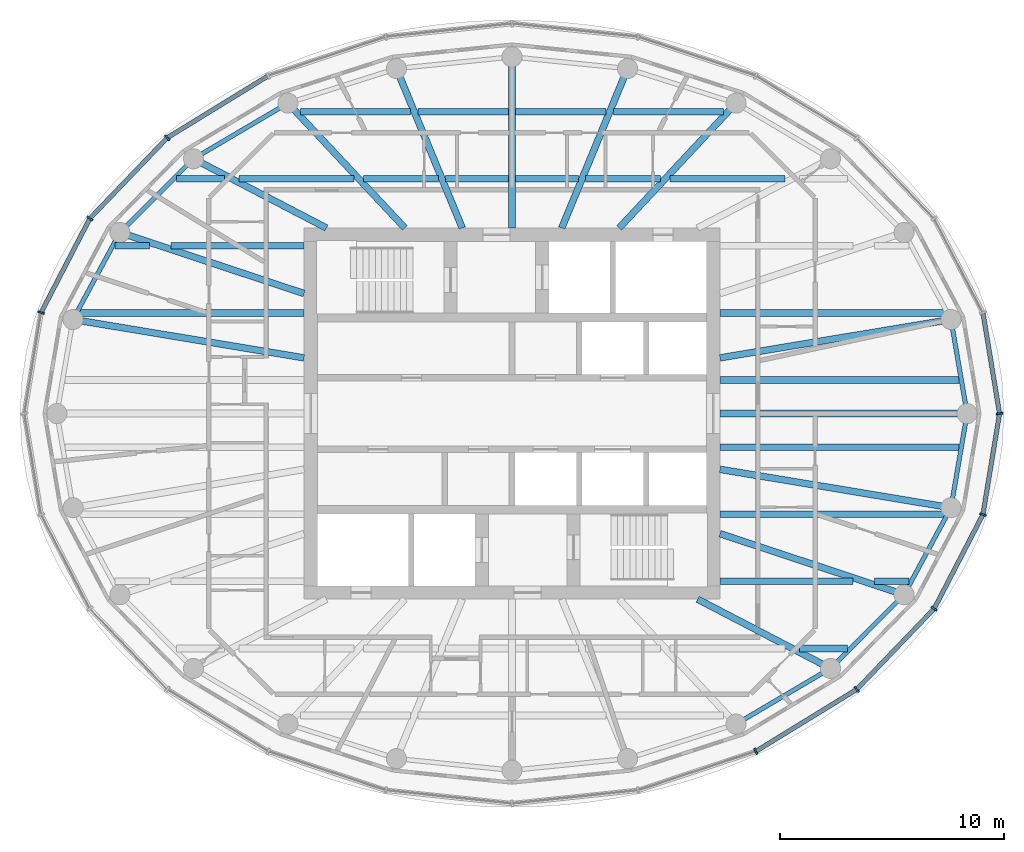
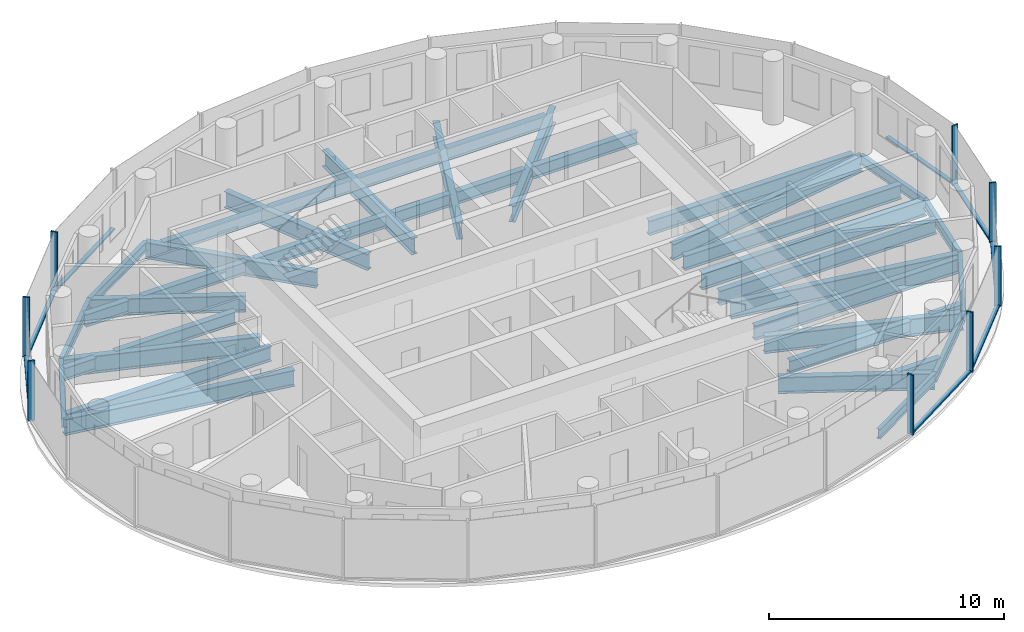
# One storey, part 2 of 11: 42 beams, 16 members, 3 elements without a shape of their own.
"""IFC4 building model written with IfcOpenShell, lengths in metres."""

import ifcopenshell
import ifcopenshell.guid

model = None  # the IFC model being written
_history = None  # IfcOwnerHistory: only IFC2X3 demands one
_inside = {}  # id of a spatial element -> (the spatial element, [elements in it])
_under = {}  # id of a project, library or spatial element -> (it, [spatial elements below it])
_declared = {}  # id of a project -> (the project, [libraries it declares])
_typed = {}  # id of a type object -> (the type object, [elements of that type])
_made_of = {}  # id of a material, layer set ... -> (it, [elements and type objects made of it])


def new_model(schema):
    """Start an empty IFC model of exactly this schema.

    Asked for "IFC4X3", IfcOpenShell would pick the latest addendum, in which some entities
    have other attributes; the version numbers below select the first issue.
    IFC2X3 requires an IfcOwnerHistory on every rooted entity: one is made here for all.
    """
    global model, _history
    if schema == "IFC4X3":
        model = ifcopenshell.file(schema_version=(4, 3, 0, 0))
    else:
        model = ifcopenshell.file(schema=schema)
    _inside.clear()
    _under.clear()
    _declared.clear()
    _typed.clear()
    _made_of.clear()
    _history = None
    if model.schema == "IFC2X3":
        org = make("IfcOrganization", Name="unknown")
        user = make(
            "IfcPersonAndOrganization",
            ThePerson=make("IfcPerson", FamilyName="unknown"),
            TheOrganization=org,
        )
        app = make(
            "IfcApplication",
            ApplicationDeveloper=org,
            Version="unknown",
            ApplicationFullName="unknown",
            ApplicationIdentifier="unknown",
        )
        _history = make(
            "IfcOwnerHistory",
            OwningUser=user,
            OwningApplication=app,
            ChangeAction="ADDED",
            CreationDate=0,
        )
    return model


def make(cls, **values):
    """One entity of the class cls with the attributes given. An attribute that is None is left unset."""
    return model.create_entity(
        cls, **{name: value for name, value in values.items() if value is not None}
    )


def rooted(cls, **values):
    """An entity with a GlobalId (a new one), such as an element, a storey or a relation."""
    return make(cls, GlobalId=ifcopenshell.guid.new(), OwnerHistory=_history, **values)


def si_unit(unit_type, name, prefix=None):
    """IfcSIUnit, for example si_unit("LENGTHUNIT", "METRE", prefix="MILLI")."""
    return make("IfcSIUnit", UnitType=unit_type, Prefix=prefix, Name=name)


def assignment(units):
    """IfcUnitAssignment: the units of a project."""
    return None if units is None else make("IfcUnitAssignment", Units=units)


def point(xyz):
    """IfcCartesianPoint."""
    return None if xyz is None else make("IfcCartesianPoint", Coordinates=xyz)


def direction(xyz):
    """IfcDirection."""
    return None if xyz is None else make("IfcDirection", DirectionRatios=xyz)


def frame(location, z_axis=None, x_axis=None):
    """IfcAxis2Placement3D, a coordinate frame: its origin and axes. An axis left out is left unset."""
    return make(
        "IfcAxis2Placement3D",
        Location=point(location),
        Axis=direction(z_axis),
        RefDirection=direction(x_axis),
    )


def frame_2d(location, x_axis=None):
    """IfcAxis2Placement2D, a coordinate frame in the plane: its origin and x axis."""
    return make(
        "IfcAxis2Placement2D", Location=point(location), RefDirection=direction(x_axis)
    )


def origin():
    """The frame at (0, 0, 0) with its axes left unset."""
    return frame((0.0, 0.0, 0.0))


def origin_2d():
    """The frame at (0, 0) in the plane with its x axis left unset."""
    return frame_2d((0.0, 0.0))


def place(relative_to, where):
    """IfcLocalPlacement: puts the frame where relative to a parent placement (None: the world)."""
    return make(
        "IfcLocalPlacement", PlacementRelTo=relative_to, RelativePlacement=where
    )


def context(
    kind, dimensions, precision=None, world=None, true_north=None, identifier=None
):
    """IfcGeometricRepresentationContext, for example the 3D "Model" context."""
    return make(
        "IfcGeometricRepresentationContext",
        ContextIdentifier=identifier,
        ContextType=kind,
        CoordinateSpaceDimension=dimensions,
        Precision=precision,
        WorldCoordinateSystem=world,
        TrueNorth=true_north,
    )


def subcontext(parent, identifier, kind, view, scale=None):
    """IfcGeometricRepresentationSubContext, for example "Body" below "Model"."""
    return make(
        "IfcGeometricRepresentationSubContext",
        ContextIdentifier=identifier,
        ContextType=kind,
        ParentContext=parent,
        TargetScale=scale,
        TargetView=view,
    )


def project(units=None, contexts=None):
    """IfcProject with its units and contexts."""
    return rooted(
        "IfcProject",
        Name="project",
        RepresentationContexts=contexts,
        UnitsInContext=assignment(units),
    )


def spatial(cls, under=None, at=None, **own):
    """A site, building, storey or space (cls), placed at a placement, below another one or the project."""
    s = rooted(cls, ObjectPlacement=at, **own)
    if under is not None:
        _under.setdefault(under.id(), (under, []))[1].append(s)
    return s


def profile(cls, at=None, kind="AREA", **sizes):
    """A parametric profile (cls). Its sizes go by their IFC names, for example OverallWidth=200.0."""
    return make(cls, ProfileType=kind, Position=at, **sizes)


def rectangle(**sizes):
    """IfcRectangleProfileDef."""
    return profile("IfcRectangleProfileDef", **sizes)


def i_section(**sizes):
    """IfcIShapeProfileDef."""
    return profile("IfcIShapeProfileDef", **sizes)


def extrude(swept, where, along, depth):
    """IfcExtrudedAreaSolid: the profile swept, set in the frame where, extruded along a direction by depth."""
    return make(
        "IfcExtrudedAreaSolid",
        SweptArea=swept,
        Position=where,
        ExtrudedDirection=direction(along),
        Depth=depth,
    )


def shape(context_of_items, identifier, shape_type, items):
    """IfcShapeRepresentation: the items that make up one representation, for example the "Body"."""
    return make(
        "IfcShapeRepresentation",
        ContextOfItems=context_of_items,
        RepresentationIdentifier=identifier,
        RepresentationType=shape_type,
        Items=items,
    )


def material(Name=None, Category=None):
    """IfcMaterial."""
    return make("IfcMaterial", Name=Name, Category=Category)


def material_profile(
    of_material, cross_section, Name=None, Category=None, Priority=None
):
    """IfcMaterialProfile: a cross section and its material."""
    return make(
        "IfcMaterialProfile",
        Name=Name,
        Material=of_material,
        Profile=cross_section,
        Priority=Priority,
        Category=Category,
    )


def profile_set(profiles, Name=None, composite=None):
    """IfcMaterialProfileSet."""
    return make(
        "IfcMaterialProfileSet",
        Name=Name,
        MaterialProfiles=profiles,
        CompositeProfile=composite,
    )


def made_of(thing, what):
    """Note that an element or type object is made of a material, layer set ...; save() writes the relation."""
    if what is not None:
        _made_of.setdefault(what.id(), (what, []))[1].append(thing)
    return thing


def type_object(cls, material=None, **own):
    """A type object (cls), such as IfcWallType, which elements share."""
    return made_of(rooted(cls, **own), material)


def element(
    cls,
    number,
    at=None,
    inside=None,
    cuts=None,
    type_object=None,
    material=None,
    context=None,
    identifier="Body",
    shape_type=None,
    held_by="IfcProductDefinitionShape",
    body=None,
    shapes=None,
    **own,
):
    """One element of the class cls, such as IfcWall. Its Tag is "e" and its number.

    at: its placement. inside: the storey or other place that contains it. cuts: it is an
    opening in that element (IfcRelVoidsElement). A single representation is given by context,
    identifier, shape_type and body (its items); several are given by shapes. held_by: the class
    of the entity that holds the representations. save() writes the other relations.
    """
    e = rooted(cls, Tag="e%d" % number, ObjectPlacement=at, **own)
    if body is not None:
        shapes = [shape(context, identifier, shape_type, body)]
    if shapes is not None:
        e.Representation = make(held_by, Representations=shapes)
    if inside is not None:
        _inside.setdefault(inside.id(), (inside, []))[1].append(e)
    if cuts is not None:
        rooted(
            "IfcRelVoidsElement", RelatingBuildingElement=cuts, RelatedOpeningElement=e
        )
    if type_object is not None:
        _typed.setdefault(type_object.id(), (type_object, []))[1].append(e)
    return made_of(e, material)


def aggregate(whole, parts):
    """IfcRelAggregates: a whole, such as a stair, and the parts it consists of."""
    return rooted("IfcRelAggregates", RelatingObject=whole, RelatedObjects=parts)


def save(model, path):
    """Write the relations noted so far, then the file.

    IfcRelAggregates (storeys below a building ...), IfcRelContainedInSpatialStructure (elements
    in a storey), IfcRelDefinesByType, IfcRelAssociatesMaterial and IfcRelDeclares: one each for
    every whole, place, type object, material and project.
    """
    for whole, parts in _under.values():
        aggregate(whole, parts)
    for where, things in _inside.values():
        rooted(
            "IfcRelContainedInSpatialStructure",
            RelatedElements=things,
            RelatingStructure=where,
        )
    for kind, things in _typed.values():
        rooted("IfcRelDefinesByType", RelatedObjects=things, RelatingType=kind)
    for what, things in _made_of.values():
        rooted("IfcRelAssociatesMaterial", RelatedObjects=things, RelatingMaterial=what)
    for by, libraries in _declared.values():
        rooted("IfcRelDeclares", RelatingContext=by, RelatedDefinitions=libraries)
    model.write(path)


model = new_model("IFC4")

# Units and contexts
model_context = context("Model", 3, precision=1e-05, world=origin(), true_north=direction((0.0, 1.0)))
body_context = subcontext(model_context, "Body", "Model", "MODEL_VIEW")
ifc_project = project(units=[si_unit("LENGTHUNIT", "METRE"), si_unit("AREAUNIT", "SQUARE_METRE"), si_unit("VOLUMEUNIT", "CUBIC_METRE"), si_unit("PLANEANGLEUNIT", "RADIAN"), si_unit("MASSUNIT", "GRAM", prefix="KILO")], contexts=[model_context])

# Site, building, storey
site_placement = place(None, origin())
site = spatial("IfcSite", under=ifc_project, at=site_placement, CompositionType="ELEMENT")
building_placement = place(site_placement, origin())
building = spatial("IfcBuilding", under=site, at=building_placement, Name="Hankou Lantern Tower", CompositionType="ELEMENT")
storey_placement = place(building_placement, frame((0.0, 0.0, 196.199951171875)))
storey = spatial("IfcBuildingStorey", under=building, at=storey_placement, Name="L52", CompositionType="ELEMENT", Elevation=196.199951171875)

# Beams
ifc_material_1 = material(Name="Steel Q355B", Category="steel")
ifc_material_profile_1 = material_profile(ifc_material_1, i_section(OverallWidth=0.199951171875, OverallDepth=0.5, WebThickness=0.010009765625, FlangeThickness=0.01611328125, FilletRadius=0.012939453125, at=origin_2d()), Name="HN500x200x10x16")
ifc_profile_set_1 = profile_set([ifc_material_profile_1], Name="Steel Q355B")
beam_type_1 = type_object("IfcBeamType", Name="EB5 RING BEAM HN500x200x10x16", PredefinedType="SPANDREL", material=ifc_profile_set_1)
beam_1_placement = place(storey_placement, frame((20.35009765625, 0.0, -0.429931640625), z_axis=(-0.168876512999, 0.98563721691, 0.0), x_axis=(-0.98563721691, -0.168876512999, 0.0)))
element("IfcBeam", 1, at=beam_1_placement, inside=storey, type_object=beam_type_1, Name="Ring beam R01-R02 L52", PredefinedType="SPANDREL", context=body_context, shape_type="SweptSolid", body=[
    extrude(i_section(OverallWidth=0.199951171875, OverallDepth=0.5, WebThickness=0.010009765625, FlangeThickness=0.01611328125, FilletRadius=0.012939453125, at=origin_2d()), origin(), (0.0, 0.0, 1.0), 4.26904296875),
])
beam_2_placement = place(storey_placement, frame((-10.01904296875, 13.8828125, -0.429931640625), z_axis=(-0.861422897323, -0.507888365655, 0.0), x_axis=(0.507888365655, -0.861422897323, 0.0)))
element("IfcBeam", 2, at=beam_2_placement, inside=storey, type_object=beam_type_1, Name="Ring beam R09-R10 L52", PredefinedType="SPANDREL", context=body_context, shape_type="SweptSolid", body=[
    extrude(i_section(OverallWidth=0.199951171875, OverallDepth=0.5, WebThickness=0.010009765625, FlangeThickness=0.01611328125, FilletRadius=0.012939453125, at=origin_2d()), origin(), (0.0, 0.0, 1.0), 4.901611328125),
])
beam_3_placement = place(storey_placement, frame((-14.241455078125, 11.393310546875, -0.429931640625), z_axis=(-0.706608588034, -0.707604623583, 0.0), x_axis=(0.707604623583, -0.706608588034, 0.0)))
element("IfcBeam", 3, at=beam_3_placement, inside=storey, type_object=beam_type_1, Name="Ring beam R10-R11 L52", PredefinedType="SPANDREL", context=body_context, shape_type="SweptSolid", body=[
    extrude(i_section(OverallWidth=0.199951171875, OverallDepth=0.5, WebThickness=0.010009765625, FlangeThickness=0.01611328125, FilletRadius=0.012939453125, at=origin_2d()), origin(), (0.0, 0.0, 1.0), 4.6572265625),
])
beam_4_placement = place(storey_placement, frame((-17.5322265625, 8.097900390625, -0.429931640625), z_axis=(-0.474491806611, -0.880259919262, 0.0), x_axis=(0.880259919262, -0.474491806611, 0.0)))
element("IfcBeam", 4, at=beam_4_placement, inside=storey, type_object=beam_type_1, Name="Ring beam R11-R12 L52", PredefinedType="SPANDREL", context=body_context, shape_type="SweptSolid", body=[
    extrude(i_section(OverallWidth=0.199951171875, OverallDepth=0.5, WebThickness=0.010009765625, FlangeThickness=0.01611328125, FilletRadius=0.012939453125, at=origin_2d()), origin(), (0.0, 0.0, 1.0), 4.419189453125),
])
beam_5_placement = place(storey_placement, frame((10.01904296875, -13.8828125, -0.429931640625), z_axis=(0.861422897323, 0.507888365655, 0.0), x_axis=(-0.507888365655, 0.861422897323, 0.0)))
element("IfcBeam", 5, at=beam_5_placement, inside=storey, type_object=beam_type_1, Name="Ring beam R21-R22 L52", PredefinedType="SPANDREL", context=body_context, shape_type="SweptSolid", body=[
    extrude(i_section(OverallWidth=0.199951171875, OverallDepth=0.5, WebThickness=0.010009765625, FlangeThickness=0.01611328125, FilletRadius=0.012939453125, at=origin_2d()), origin(), (0.0, 0.0, 1.0), 4.901611328125),
])
beam_6_placement = place(storey_placement, frame((14.241455078125, -11.393310546875, -0.429931640625), z_axis=(0.706608588034, 0.707604623583, 0.0), x_axis=(-0.707604623583, 0.706608588034, 0.0)))
element("IfcBeam", 6, at=beam_6_placement, inside=storey, type_object=beam_type_1, Name="Ring beam R22-R23 L52", PredefinedType="SPANDREL", context=body_context, shape_type="SweptSolid", body=[
    extrude(i_section(OverallWidth=0.199951171875, OverallDepth=0.5, WebThickness=0.010009765625, FlangeThickness=0.01611328125, FilletRadius=0.012939453125, at=origin_2d()), origin(), (0.0, 0.0, 1.0), 4.6572265625),
])
beam_7_placement = place(storey_placement, frame((17.5322265625, -8.097900390625, -0.429931640625), z_axis=(0.474491806611, 0.880259919262, 0.0), x_axis=(-0.880259919262, 0.474491806611, 0.0)))
element("IfcBeam", 7, at=beam_7_placement, inside=storey, type_object=beam_type_1, Name="Ring beam R23-R24 L52", PredefinedType="SPANDREL", context=body_context, shape_type="SweptSolid", body=[
    extrude(i_section(OverallWidth=0.199951171875, OverallDepth=0.5, WebThickness=0.010009765625, FlangeThickness=0.01611328125, FilletRadius=0.012939453125, at=origin_2d()), origin(), (0.0, 0.0, 1.0), 4.419189453125),
])
beam_8_placement = place(storey_placement, frame((19.629150390625, -4.207763671875, -0.429931640625), z_axis=(0.168876512999, 0.98563721691, 0.0), x_axis=(-0.98563721691, 0.168876512999, 0.0)))
element("IfcBeam", 8, at=beam_8_placement, inside=storey, type_object=beam_type_1, Name="Ring beam R24-R01 L52", PredefinedType="SPANDREL", context=body_context, shape_type="SweptSolid", body=[
    extrude(i_section(OverallWidth=0.199951171875, OverallDepth=0.5, WebThickness=0.010009765625, FlangeThickness=0.01611328125, FilletRadius=0.012939453125, at=origin_2d()), origin(), (0.0, 0.0, 1.0), 4.26904296875),
])

# Curtain wall, member
ifc_material_2 = material(Name="Glass, dark grey tinted laminated", Category="glass")
curtain_wall_type = type_object("IfcCurtainWallType", Name="CWD OUTER SKIN SUITE", PredefinedType="USERDEFINED", material=ifc_material_2)
curtain_wall_1_placement = place(storey_placement, origin())
curtain_wall_1 = element("IfcCurtainWall", 9, at=curtain_wall_1_placement, inside=storey, type_object=curtain_wall_type, Name="CWD L52 OS1", ObjectType="OUTER SKIN SUITE", PredefinedType="USERDEFINED")
ifc_material_3 = material(Name="Aluminium, black anodised", Category="aluminium")
ifc_material_profile_2 = material_profile(ifc_material_3, rectangle(XDim=0.080078125, YDim=0.300048828125, at=origin_2d()), Name="MU1 80X300")
ifc_profile_set_2 = profile_set([ifc_material_profile_2], Name="Aluminium, black anodised")
member_type_1 = type_object("IfcMemberType", Name="MU1 OUTER SKIN MULLION 80X300", PredefinedType="MULLION", material=ifc_profile_set_2)
member_1_placement = place(storey_placement, frame((21.800048828125, 0.0, 0.0), z_axis=(0.0, 0.0, 1.0), x_axis=(-0.162381515188, 0.986728049427, 0.0)))
member_1 = element("IfcMember", 10, at=member_1_placement, type_object=member_type_1, Name="CWD mullion 1", PredefinedType="MULLION", context=body_context, shape_type="SweptSolid", body=[
    extrude(rectangle(XDim=0.080078125, YDim=0.300048828125, at=origin_2d()), origin(), (0.0, 0.0, 1.0), 3.1201171875),
])

# Curtain wall, members
curtain_wall_2_placement = place(storey_placement, origin())
curtain_wall_2 = element("IfcCurtainWall", 11, at=curtain_wall_2_placement, inside=storey, type_object=curtain_wall_type, Name="CWD L52 OS2", ObjectType="OUTER SKIN SUITE", PredefinedType="USERDEFINED")
member_2_placement = place(storey_placement, frame((-15.4150390625, 12.33203125, 0.0), z_axis=(0.0, 0.0, 1.0), x_axis=(-0.780868809444, -0.624695047553, 0.0)))
member_2 = element("IfcMember", 12, at=member_2_placement, type_object=member_type_1, Name="CWD mullion 4", PredefinedType="MULLION", context=body_context, shape_type="SweptSolid", body=[
    extrude(rectangle(XDim=0.080078125, YDim=0.300048828125, at=origin_2d()), origin(), (0.0, 0.0, 1.0), 3.1201171875),
])
member_3_placement = place(storey_placement, frame((-18.87939453125, 8.719970703125, 0.0), z_axis=(0.0, 0.0, 1.0), x_axis=(-0.585205735974, -0.810884854084, 0.0)))
member_3 = element("IfcMember", 13, at=member_3_placement, type_object=member_type_1, Name="CWD mullion 5", PredefinedType="MULLION", context=body_context, shape_type="SweptSolid", body=[
    extrude(rectangle(XDim=0.080078125, YDim=0.300048828125, at=origin_2d()), origin(), (0.0, 0.0, 1.0), 3.1201171875),
])
member_4_placement = place(storey_placement, frame((-21.05712890625, 4.513916015625, 0.0), z_axis=(0.0, 0.0, 1.0), x_axis=(-0.317595577365, -0.94822626479, 0.0)))
member_4 = element("IfcMember", 14, at=member_4_placement, type_object=member_type_1, Name="CWD mullion 6", PredefinedType="MULLION", context=body_context, shape_type="SweptSolid", body=[
    extrude(rectangle(XDim=0.080078125, YDim=0.300048828125, at=origin_2d()), origin(), (0.0, 0.0, 1.0), 3.1201171875),
])

curtain_wall_3_placement = place(storey_placement, origin())
curtain_wall_3 = element("IfcCurtainWall", 15, at=curtain_wall_3_placement, inside=storey, type_object=curtain_wall_type, Name="CWD L52 OS4", ObjectType="OUTER SKIN SUITE", PredefinedType="USERDEFINED")
member_5_placement = place(storey_placement, frame((10.89990234375, -15.103515625, 0.0), z_axis=(0.0, 0.0, 1.0), x_axis=(0.907841299004, 0.419313934686, 0.0)))
member_5 = element("IfcMember", 16, at=member_5_placement, type_object=member_type_1, Name="CWD mullion 3", PredefinedType="MULLION", context=body_context, shape_type="SweptSolid", body=[
    extrude(rectangle(XDim=0.080078125, YDim=0.300048828125, at=origin_2d()), origin(), (0.0, 0.0, 1.0), 3.1201171875),
])
member_6_placement = place(storey_placement, frame((15.4150390625, -12.33203125, 0.0), z_axis=(0.0, 0.0, 1.0), x_axis=(0.780868809444, 0.624695047553, 0.0)))
member_6 = element("IfcMember", 17, at=member_6_placement, type_object=member_type_1, Name="CWD mullion 4", PredefinedType="MULLION", context=body_context, shape_type="SweptSolid", body=[
    extrude(rectangle(XDim=0.080078125, YDim=0.300048828125, at=origin_2d()), origin(), (0.0, 0.0, 1.0), 3.1201171875),
])
member_7_placement = place(storey_placement, frame((18.87939453125, -8.719970703125, 0.0), z_axis=(0.0, 0.0, 1.0), x_axis=(0.585205735974, 0.810884854084, 0.0)))
member_7 = element("IfcMember", 18, at=member_7_placement, type_object=member_type_1, Name="CWD mullion 5", PredefinedType="MULLION", context=body_context, shape_type="SweptSolid", body=[
    extrude(rectangle(XDim=0.080078125, YDim=0.300048828125, at=origin_2d()), origin(), (0.0, 0.0, 1.0), 3.1201171875),
])
member_8_placement = place(storey_placement, frame((21.05712890625, -4.513916015625, 0.0), z_axis=(0.0, 0.0, 1.0), x_axis=(0.317595577365, 0.94822626479, 0.0)))
member_8 = element("IfcMember", 19, at=member_8_placement, type_object=member_type_1, Name="CWD mullion 6", PredefinedType="MULLION", context=body_context, shape_type="SweptSolid", body=[
    extrude(rectangle(XDim=0.080078125, YDim=0.300048828125, at=origin_2d()), origin(), (0.0, 0.0, 1.0), 3.1201171875),
])

# Beams
ifc_material_4 = material(Name="Steel Q355B", Category="steel")
ifc_material_profile_3 = material_profile(ifc_material_4, i_section(OverallWidth=0.300048828125, OverallDepth=0.85009765625, WebThickness=0.01611328125, FlangeThickness=0.027099609375, FilletRadius=0.01806640625, at=origin_2d()), Name="HN850x300x16x27")
ifc_profile_set_3 = profile_set([ifc_material_profile_3], Name="Steel Q355B")
beam_type_2 = type_object("IfcBeamType", Name="RB12 RADIAL BEAM HN850x300x16x27", PredefinedType="BEAM", material=ifc_profile_set_3)
beam_9_placement = place(storey_placement, frame((9.300048828125, 0.0, -0.60498046875), z_axis=(1.0, 0.0, 0.0), x_axis=(0.0, 1.0, 0.0)))
element("IfcBeam", 20, at=beam_9_placement, inside=storey, type_object=beam_type_2, Name="Radial beam R01 L52", PredefinedType="BEAM", context=body_context, shape_type="SweptSolid", body=[
    extrude(i_section(OverallWidth=0.300048828125, OverallDepth=0.85009765625, WebThickness=0.01611328125, FlangeThickness=0.027099609375, FilletRadius=0.01806640625, at=origin_2d()), origin(), (0.0, 0.0, 1.0), 11.050048828125),
])
beam_10_placement = place(storey_placement, frame((9.300048828125, 2.491943359375, -0.60498046875), z_axis=(0.986482007061, 0.163869612027, 0.0), x_axis=(-0.163869612027, 0.986482007061, 0.0)))
element("IfcBeam", 21, at=beam_10_placement, inside=storey, type_object=beam_type_2, Name="Radial beam R02 L52", PredefinedType="BEAM", context=body_context, shape_type="SweptSolid", body=[
    extrude(i_section(OverallWidth=0.300048828125, OverallDepth=0.85009765625, WebThickness=0.01611328125, FlangeThickness=0.027099609375, FilletRadius=0.01806640625, at=origin_2d()), origin(), (0.0, 0.0, 1.0), 10.470703125),
])
beam_11_placement = place(storey_placement, frame((4.7919921875, 8.300048828125, -0.60498046875), z_axis=(0.68346844743, 0.729980055459, 0.0), x_axis=(-0.729980055459, 0.68346844743, 0.0)))
element("IfcBeam", 22, at=beam_11_placement, inside=storey, type_object=beam_type_2, Name="Radial beam R05 L52", PredefinedType="BEAM", context=body_context, shape_type="SweptSolid", body=[
    extrude(i_section(OverallWidth=0.300048828125, OverallDepth=0.85009765625, WebThickness=0.01611328125, FlangeThickness=0.027099609375, FilletRadius=0.01806640625, at=origin_2d()), origin(), (0.0, 0.0, 1.0), 7.64794921875),
])
beam_12_placement = place(storey_placement, frame((2.223876953125, 8.300048828125, -0.60498046875), z_axis=(0.381706648123, 0.924283525104, 0.0), x_axis=(-0.924283525104, 0.381706648123, 0.0)))
element("IfcBeam", 23, at=beam_12_placement, inside=storey, type_object=beam_type_2, Name="Radial beam R06 L52", PredefinedType="BEAM", context=body_context, shape_type="SweptSolid", body=[
    extrude(i_section(OverallWidth=0.300048828125, OverallDepth=0.85009765625, WebThickness=0.01611328125, FlangeThickness=0.027099609375, FilletRadius=0.01806640625, at=origin_2d()), origin(), (0.0, 0.0, 1.0), 7.7109375),
])
beam_13_placement = place(storey_placement, frame((0.0, 8.300048828125, -0.60498046875), z_axis=(0.0, 1.0, 0.0), x_axis=(-1.0, 0.0, 0.0)))
element("IfcBeam", 24, at=beam_13_placement, inside=storey, type_object=beam_type_2, Name="Radial beam R07 L52", PredefinedType="BEAM", context=body_context, shape_type="SweptSolid", body=[
    extrude(i_section(OverallWidth=0.300048828125, OverallDepth=0.85009765625, WebThickness=0.01611328125, FlangeThickness=0.027099609375, FilletRadius=0.01806640625, at=origin_2d()), origin(), (0.0, 0.0, 1.0), 7.64990234375),
])
beam_14_placement = place(storey_placement, frame((-2.223876953125, 8.300048828125, -0.60498046875), z_axis=(-0.381706648123, 0.924283525104, 0.0), x_axis=(-0.924283525104, -0.381706648123, 0.0)))
element("IfcBeam", 25, at=beam_14_placement, inside=storey, type_object=beam_type_2, Name="Radial beam R08 L52", PredefinedType="BEAM", context=body_context, shape_type="SweptSolid", body=[
    extrude(i_section(OverallWidth=0.300048828125, OverallDepth=0.85009765625, WebThickness=0.01611328125, FlangeThickness=0.027099609375, FilletRadius=0.01806640625, at=origin_2d()), origin(), (0.0, 0.0, 1.0), 7.7109375),
])
beam_15_placement = place(storey_placement, frame((-4.7919921875, 8.300048828125, -0.60498046875), z_axis=(-0.68346844743, 0.729980055459, 0.0), x_axis=(-0.729980055459, -0.68346844743, 0.0)))
element("IfcBeam", 26, at=beam_15_placement, inside=storey, type_object=beam_type_2, Name="Radial beam R09 L52", PredefinedType="BEAM", context=body_context, shape_type="SweptSolid", body=[
    extrude(i_section(OverallWidth=0.300048828125, OverallDepth=0.85009765625, WebThickness=0.01611328125, FlangeThickness=0.027099609375, FilletRadius=0.01806640625, at=origin_2d()), origin(), (0.0, 0.0, 1.0), 7.64794921875),
])
beam_16_placement = place(storey_placement, frame((-8.300048828125, 8.300048828125, -0.60498046875), z_axis=(-0.886988734783, 0.461791061378, 0.0), x_axis=(-0.461791061378, -0.886988734783, 0.0)))
element("IfcBeam", 27, at=beam_16_placement, inside=storey, type_object=beam_type_2, Name="Radial beam R10 L52", PredefinedType="BEAM", context=body_context, shape_type="SweptSolid", body=[
    extrude(i_section(OverallWidth=0.300048828125, OverallDepth=0.85009765625, WebThickness=0.01611328125, FlangeThickness=0.027099609375, FilletRadius=0.01806640625, at=origin_2d()), origin(), (0.0, 0.0, 1.0), 6.698486328125),
])
beam_17_placement = place(storey_placement, frame((-9.300048828125, 2.491943359375, -0.60498046875), z_axis=(-0.986482007061, 0.163869612027, 0.0), x_axis=(-0.163869612027, -0.986482007061, 0.0)))
element("IfcBeam", 28, at=beam_17_placement, inside=storey, type_object=beam_type_2, Name="Radial beam R12 L52", PredefinedType="BEAM", context=body_context, shape_type="SweptSolid", body=[
    extrude(i_section(OverallWidth=0.300048828125, OverallDepth=0.85009765625, WebThickness=0.01611328125, FlangeThickness=0.027099609375, FilletRadius=0.01806640625, at=origin_2d()), origin(), (0.0, 0.0, 1.0), 10.470703125),
])
beam_18_placement = place(storey_placement, frame((8.300048828125, -8.300048828125, -0.60498046875), z_axis=(0.886988734783, -0.461791061378, 0.0), x_axis=(0.461791061378, 0.886988734783, 0.0)))
element("IfcBeam", 29, at=beam_18_placement, inside=storey, type_object=beam_type_2, Name="Radial beam R22 L52", PredefinedType="BEAM", context=body_context, shape_type="SweptSolid", body=[
    extrude(i_section(OverallWidth=0.300048828125, OverallDepth=0.85009765625, WebThickness=0.01611328125, FlangeThickness=0.027099609375, FilletRadius=0.01806640625, at=origin_2d()), origin(), (0.0, 0.0, 1.0), 6.698486328125),
])
beam_19_placement = place(storey_placement, frame((9.300048828125, -2.491943359375, -0.60498046875), z_axis=(0.986482007061, -0.163869612027, 0.0), x_axis=(0.163869612027, 0.986482007061, 0.0)))
element("IfcBeam", 30, at=beam_19_placement, inside=storey, type_object=beam_type_2, Name="Radial beam R24 L52", PredefinedType="BEAM", context=body_context, shape_type="SweptSolid", body=[
    extrude(i_section(OverallWidth=0.300048828125, OverallDepth=0.85009765625, WebThickness=0.01611328125, FlangeThickness=0.027099609375, FilletRadius=0.01806640625, at=origin_2d()), origin(), (0.0, 0.0, 1.0), 10.470703125),
])
ifc_material_5 = material(Name="Steel Q355B", Category="steel")
ifc_material_profile_4 = material_profile(ifc_material_5, i_section(OverallWidth=0.300048828125, OverallDepth=0.89990234375, WebThickness=0.01611328125, FlangeThickness=0.028076171875, FilletRadius=0.01806640625, at=origin_2d()), Name="HN900x300x16x28")
ifc_profile_set_4 = profile_set([ifc_material_profile_4], Name="Steel Q355B")
beam_type_3 = type_object("IfcBeamType", Name="RB13 RADIAL BEAM HN900x300x16x28", PredefinedType="BEAM", material=ifc_profile_set_4)
for number, where, z_axis, x_axis, name in (
    (31, (-9.300048828125, 5.369384765625, -0.6298828125), (-0.949219608576, 0.314614263337, 0.0), (-0.314614263337, -0.949219608576, 0.0), "Radial beam R11 L52"),
    (32, (9.300048828125, -5.369384765625, -0.6298828125), (0.949219608576, -0.314614263337, 0.0), (0.314614263337, 0.949219608576, 0.0), "Radial beam R23 L52"),
):
    element("IfcBeam", number, at=place(storey_placement, frame(where, z_axis=z_axis, x_axis=x_axis)), inside=storey, type_object=beam_type_3, Name=name, PredefinedType="BEAM", context=body_context, shape_type="SweptSolid", body=[
        extrude(i_section(OverallWidth=0.300048828125, OverallDepth=0.89990234375, WebThickness=0.01611328125, FlangeThickness=0.028076171875, FilletRadius=0.01806640625, at=origin_2d()), origin(), (0.0, 0.0, 1.0), 8.672607421875),
    ])
ifc_material_6 = material(Name="Steel Q355B", Category="steel")
ifc_material_profile_5 = material_profile(ifc_material_6, i_section(OverallWidth=0.300048828125, OverallDepth=0.75, WebThickness=0.012939453125, FlangeThickness=0.02392578125, FilletRadius=0.01806640625, at=origin_2d()), Name="HN750x300x13x24")
ifc_profile_set_5 = profile_set([ifc_material_profile_5], Name="Steel Q355B")
beam_type_4 = type_object("IfcBeamType", Name="SB10 SECONDARY BEAM HN750x300x13x24", PredefinedType="JOIST", material=ifc_profile_set_5)
beam_20_placement = place(storey_placement, frame((9.300048828125, -4.5, -0.554931640625), z_axis=(1.0, 0.0, 0.0), x_axis=(0.0, 1.0, 0.0)))
element("IfcBeam", 33, at=beam_20_placement, inside=storey, type_object=beam_type_4, Name="Floor joist J018 L52", PredefinedType="JOIST", context=body_context, shape_type="SweptSolid", body=[
    extrude(i_section(OverallWidth=0.300048828125, OverallDepth=0.75, WebThickness=0.012939453125, FlangeThickness=0.02392578125, FilletRadius=0.01806640625, at=origin_2d()), origin(), (0.0, 0.0, 1.0), 10.057861328125),
])
for number, where, z_axis, x_axis, name in (
    (34, (9.300048828125, -1.5, -0.554931640625), (1.0, 0.0, 0.0), (0.0, 1.0, 0.0), "Floor joist J020 L52"),
    (35, (9.300048828125, 1.5, -0.554931640625), (1.0, 0.0, 0.0), (0.0, 1.0, 0.0), "Floor joist J022 L52"),
):
    element("IfcBeam", number, at=place(storey_placement, frame(where, z_axis=z_axis, x_axis=x_axis)), inside=storey, type_object=beam_type_4, Name=name, PredefinedType="JOIST", context=body_context, shape_type="SweptSolid", body=[
        extrude(i_section(OverallWidth=0.300048828125, OverallDepth=0.75, WebThickness=0.012939453125, FlangeThickness=0.02392578125, FilletRadius=0.01806640625, at=origin_2d()), origin(), (0.0, 0.0, 1.0), 10.69140625),
    ])
for number, where, z_axis, x_axis, name in (
    (36, (-19.35791015625, 4.5, -0.554931640625), (1.0, 0.0, 0.0), (0.0, 1.0, 0.0), "Floor joist J023 L52"),
    (37, (9.300048828125, 4.5, -0.554931640625), (1.0, 0.0, 0.0), (0.0, 1.0, 0.0), "Floor joist J024 L52"),
):
    element("IfcBeam", number, at=place(storey_placement, frame(where, z_axis=z_axis, x_axis=x_axis)), inside=storey, type_object=beam_type_4, Name=name, PredefinedType="JOIST", context=body_context, shape_type="SweptSolid", body=[
        extrude(i_section(OverallWidth=0.300048828125, OverallDepth=0.75, WebThickness=0.012939453125, FlangeThickness=0.02392578125, FilletRadius=0.01806640625, at=origin_2d()), origin(), (0.0, 0.0, 1.0), 10.057861328125),
    ])
ifc_material_7 = material(Name="Steel Q355B", Category="steel")
ifc_material_profile_6 = material_profile(ifc_material_7, i_section(OverallWidth=0.300048828125, OverallDepth=0.64990234375, WebThickness=0.010986328125, FlangeThickness=0.01708984375, FilletRadius=0.01806640625, at=origin_2d()), Name="HN650x300x11x17")
ifc_profile_set_6 = profile_set([ifc_material_profile_6], Name="Steel Q355B")
beam_type_5 = type_object("IfcBeamType", Name="SB8 SECONDARY BEAM HN650x300x11x17", PredefinedType="JOIST", material=ifc_profile_set_6)
beam_21_placement = place(storey_placement, frame((12.8505859375, -10.5, -0.5048828125), z_axis=(1.0, 0.0, 0.0), x_axis=(0.0, 1.0, 0.0)))
element("IfcBeam", 38, at=beam_21_placement, inside=storey, type_object=beam_type_5, Name="Floor joist J012 L52", PredefinedType="JOIST", context=body_context, shape_type="SweptSolid", body=[
    extrude(i_section(OverallWidth=0.300048828125, OverallDepth=0.64990234375, WebThickness=0.010986328125, FlangeThickness=0.01708984375, FilletRadius=0.01806640625, at=origin_2d()), origin(), (0.0, 0.0, 1.0), 2.1416015625),
])
beam_22_placement = place(storey_placement, frame((9.300048828125, -7.5, -0.5048828125), z_axis=(1.0, 0.0, 0.0), x_axis=(0.0, 1.0, 0.0)))
element("IfcBeam", 39, at=beam_22_placement, inside=storey, type_object=beam_type_5, Name="Floor joist J015 L52", PredefinedType="JOIST", context=body_context, shape_type="SweptSolid", body=[
    extrude(i_section(OverallWidth=0.300048828125, OverallDepth=0.64990234375, WebThickness=0.010986328125, FlangeThickness=0.01708984375, FilletRadius=0.01806640625, at=origin_2d()), origin(), (0.0, 0.0, 1.0), 5.95166015625),
])
for number, where, z_axis, x_axis, name in (
    (40, (16.205322265625, -7.5, -0.5048828125), (1.0, 0.0, 0.0), (0.0, 1.0, 0.0), "Floor joist J016 L52"),
    (41, (-17.740966796875, 7.5, -0.5048828125), (1.0, 0.0, 0.0), (0.0, 1.0, 0.0), "Floor joist J025 L52"),
):
    element("IfcBeam", number, at=place(storey_placement, frame(where, z_axis=z_axis, x_axis=x_axis)), inside=storey, type_object=beam_type_5, Name=name, PredefinedType="JOIST", context=body_context, shape_type="SweptSolid", body=[
        extrude(i_section(OverallWidth=0.300048828125, OverallDepth=0.64990234375, WebThickness=0.010986328125, FlangeThickness=0.01708984375, FilletRadius=0.01806640625, at=origin_2d()), origin(), (0.0, 0.0, 1.0), 1.53564453125),
    ])
beam_23_placement = place(storey_placement, frame((-15.251708984375, 7.5, -0.5048828125), z_axis=(1.0, 0.0, 0.0), x_axis=(0.0, 1.0, 0.0)))
element("IfcBeam", 42, at=beam_23_placement, inside=storey, type_object=beam_type_5, Name="Floor joist J026 L52", PredefinedType="JOIST", context=body_context, shape_type="SweptSolid", body=[
    extrude(i_section(OverallWidth=0.300048828125, OverallDepth=0.64990234375, WebThickness=0.010986328125, FlangeThickness=0.01708984375, FilletRadius=0.01806640625, at=origin_2d()), origin(), (0.0, 0.0, 1.0), 5.95166015625),
])
beam_24_placement = place(storey_placement, frame((-14.9921875, 10.5, -0.5048828125), z_axis=(1.0, 0.0, 0.0), x_axis=(0.0, 1.0, 0.0)))
element("IfcBeam", 43, at=beam_24_placement, inside=storey, type_object=beam_type_5, Name="Floor joist J029 L52", PredefinedType="JOIST", context=body_context, shape_type="SweptSolid", body=[
    extrude(i_section(OverallWidth=0.300048828125, OverallDepth=0.64990234375, WebThickness=0.010986328125, FlangeThickness=0.01708984375, FilletRadius=0.01806640625, at=origin_2d()), origin(), (0.0, 0.0, 1.0), 2.1416015625),
])
beam_25_placement = place(storey_placement, frame((-12.200927734375, 10.5, -0.5048828125), z_axis=(1.0, 0.0, 0.0), x_axis=(0.0, 1.0, 0.0)))
element("IfcBeam", 44, at=beam_25_placement, inside=storey, type_object=beam_type_5, Name="Floor joist J030 L52", PredefinedType="JOIST", context=body_context, shape_type="SweptSolid", body=[
    extrude(i_section(OverallWidth=0.300048828125, OverallDepth=0.64990234375, WebThickness=0.010986328125, FlangeThickness=0.01708984375, FilletRadius=0.01806640625, at=origin_2d()), origin(), (0.0, 0.0, 1.0), 5.1435546875),
])
beam_26_placement = place(storey_placement, frame((-6.646240234375, 10.5, -0.5048828125), z_axis=(1.0, 0.0, 0.0), x_axis=(0.0, 1.0, 0.0)))
element("IfcBeam", 45, at=beam_26_placement, inside=storey, type_object=beam_type_5, Name="Floor joist J031 L52", PredefinedType="JOIST", context=body_context, shape_type="SweptSolid", body=[
    extrude(i_section(OverallWidth=0.300048828125, OverallDepth=0.64990234375, WebThickness=0.010986328125, FlangeThickness=0.01708984375, FilletRadius=0.01806640625, at=origin_2d()), origin(), (0.0, 0.0, 1.0), 3.3515625),
])
for number, where, z_axis, x_axis, name in (
    (46, (-2.97021484375, 10.5, -0.5048828125), (1.0, 0.0, 0.0), (0.0, 1.0, 0.0), "Floor joist J032 L52"),
    (47, (0.14990234375, 10.5, -0.5048828125), (1.0, 0.0, 0.0), (0.0, 1.0, 0.0), "Floor joist J033 L52"),
):
    element("IfcBeam", number, at=place(storey_placement, frame(where, z_axis=z_axis, x_axis=x_axis)), inside=storey, type_object=beam_type_5, Name=name, PredefinedType="JOIST", context=body_context, shape_type="SweptSolid", body=[
        extrude(i_section(OverallWidth=0.300048828125, OverallDepth=0.64990234375, WebThickness=0.010986328125, FlangeThickness=0.01708984375, FilletRadius=0.01806640625, at=origin_2d()), origin(), (0.0, 0.0, 1.0), 2.8203125),
    ])
beam_27_placement = place(storey_placement, frame((3.294677734375, 10.5, -0.5048828125), z_axis=(1.0, 0.0, 0.0), x_axis=(0.0, 1.0, 0.0)))
element("IfcBeam", 48, at=beam_27_placement, inside=storey, type_object=beam_type_5, Name="Floor joist J034 L52", PredefinedType="JOIST", context=body_context, shape_type="SweptSolid", body=[
    extrude(i_section(OverallWidth=0.300048828125, OverallDepth=0.64990234375, WebThickness=0.010986328125, FlangeThickness=0.01708984375, FilletRadius=0.01806640625, at=origin_2d()), origin(), (0.0, 0.0, 1.0), 3.3515625),
])
beam_28_placement = place(storey_placement, frame((7.057373046875, 10.5, -0.5048828125), z_axis=(1.0, 0.0, 0.0), x_axis=(0.0, 1.0, 0.0)))
element("IfcBeam", 49, at=beam_28_placement, inside=storey, type_object=beam_type_5, Name="Floor joist J035 L52", PredefinedType="JOIST", context=body_context, shape_type="SweptSolid", body=[
    extrude(i_section(OverallWidth=0.300048828125, OverallDepth=0.64990234375, WebThickness=0.010986328125, FlangeThickness=0.01708984375, FilletRadius=0.01806640625, at=origin_2d()), origin(), (0.0, 0.0, 1.0), 5.1435546875),
])
beam_29_placement = place(storey_placement, frame((-9.455078125, 13.5, -0.5048828125), z_axis=(1.0, 0.0, 0.0), x_axis=(0.0, 1.0, 0.0)))
element("IfcBeam", 50, at=beam_29_placement, inside=storey, type_object=beam_type_5, Name="Floor joist J037 L52", PredefinedType="JOIST", context=body_context, shape_type="SweptSolid", body=[
    extrude(i_section(OverallWidth=0.300048828125, OverallDepth=0.64990234375, WebThickness=0.010986328125, FlangeThickness=0.01708984375, FilletRadius=0.01806640625, at=origin_2d()), origin(), (0.0, 0.0, 1.0), 4.92138671875),
])
for number, where, z_axis, x_axis, name in (
    (51, (-4.208984375, 13.5, -0.5048828125), (1.0, 0.0, 0.0), (0.0, 1.0, 0.0), "Floor joist J038 L52"),
    (52, (0.14990234375, 13.5, -0.5048828125), (1.0, 0.0, 0.0), (0.0, 1.0, 0.0), "Floor joist J039 L52"),
):
    element("IfcBeam", number, at=place(storey_placement, frame(where, z_axis=z_axis, x_axis=x_axis)), inside=storey, type_object=beam_type_5, Name=name, PredefinedType="JOIST", context=body_context, shape_type="SweptSolid", body=[
        extrude(i_section(OverallWidth=0.300048828125, OverallDepth=0.64990234375, WebThickness=0.010986328125, FlangeThickness=0.01708984375, FilletRadius=0.01806640625, at=origin_2d()), origin(), (0.0, 0.0, 1.0), 4.05908203125),
    ])
beam_30_placement = place(storey_placement, frame((4.53369140625, 13.5, -0.5048828125), z_axis=(1.0, 0.0, 0.0), x_axis=(0.0, 1.0, 0.0)))
element("IfcBeam", 53, at=beam_30_placement, inside=storey, type_object=beam_type_5, Name="Floor joist J040 L52", PredefinedType="JOIST", context=body_context, shape_type="SweptSolid", body=[
    extrude(i_section(OverallWidth=0.300048828125, OverallDepth=0.64990234375, WebThickness=0.010986328125, FlangeThickness=0.01708984375, FilletRadius=0.01806640625, at=origin_2d()), origin(), (0.0, 0.0, 1.0), 4.92138671875),
])

# Member
ifc_material_8 = material(Name="Aluminium, black anodised", Category="aluminium")
ifc_material_profile_7 = material_profile(ifc_material_8, rectangle(XDim=0.199951171875, YDim=0.080078125, at=origin_2d()), Name="TR1 200X80")
ifc_profile_set_7 = profile_set([ifc_material_profile_7], Name="Aluminium, black anodised")
member_type_2 = type_object("IfcMemberType", Name="TR1 OUTER SKIN TRANSOM 200X80", PredefinedType="USERDEFINED", material=ifc_profile_set_7)
member_9_placement = place(storey_placement, frame((21.79345703125, 0.03955078125, 0.0400390625), z_axis=(-0.162363822839, 0.986730960816, 0.0), x_axis=(-0.986730960816, -0.162363822839, 0.0)))
member_9 = element("IfcMember", 54, at=member_9_placement, type_object=member_type_2, Name="CWD transom 1", ObjectType="TRANSOM", PredefinedType="USERDEFINED", context=body_context, shape_type="SweptSolid", body=[
    extrude(rectangle(XDim=0.199951171875, YDim=0.080078125, at=origin_2d()), origin(), (0.0, 0.0, 1.0), 4.494384765625),
])

aggregate(curtain_wall_1, [member_1, member_9])

member_10_placement = place(storey_placement, frame((-10.93408203125, 15.08251953125, 0.0400390625), z_axis=(-0.852234544008, -0.523159900986, 0.0), x_axis=(0.523159900986, -0.852234544008, 0.0)))
member_10 = element("IfcMember", 55, at=member_10_placement, type_object=member_type_2, Name="CWD transom 3", ObjectType="TRANSOM", PredefinedType="USERDEFINED", context=body_context, shape_type="SweptSolid", body=[
    extrude(rectangle(XDim=0.199951171875, YDim=0.080078125, at=origin_2d()), origin(), (0.0, 0.0, 1.0), 5.2177734375),
])

member_11_placement = place(storey_placement, frame((-15.442626953125, 12.302978515625, 0.0400390625), z_axis=(-0.692204633274, -0.721701285626, 0.0), x_axis=(0.721701285626, -0.692204633274, 0.0)))
member_11 = element("IfcMember", 56, at=member_11_placement, type_object=member_type_2, Name="CWD transom 4", ObjectType="TRANSOM", PredefinedType="USERDEFINED", context=body_context, shape_type="SweptSolid", body=[
    extrude(rectangle(XDim=0.199951171875, YDim=0.080078125, at=origin_2d()), origin(), (0.0, 0.0, 1.0), 4.9248046875),
])

member_12_placement = place(storey_placement, frame((-18.897705078125, 8.6845703125, 0.0400390625), z_axis=(-0.45979371115, -0.888025755925, 0.0), x_axis=(0.888025755925, -0.45979371115, 0.0)))
member_12 = element("IfcMember", 57, at=member_12_placement, type_object=member_type_2, Name="CWD transom 5", ObjectType="TRANSOM", PredefinedType="USERDEFINED", context=body_context, shape_type="SweptSolid", body=[
    extrude(rectangle(XDim=0.199951171875, YDim=0.080078125, at=origin_2d()), origin(), (0.0, 0.0, 1.0), 4.65673828125),
])

aggregate(curtain_wall_2, [member_2, member_3, member_4, member_10, member_11, member_12])

member_13_placement = place(storey_placement, frame((10.93408203125, -15.08251953125, 0.0400390625), z_axis=(0.852234544008, 0.523159900986, 0.0), x_axis=(-0.523159900986, 0.852234544008, 0.0)))
member_13 = element("IfcMember", 58, at=member_13_placement, type_object=member_type_2, Name="CWD transom 3", ObjectType="TRANSOM", PredefinedType="USERDEFINED", context=body_context, shape_type="SweptSolid", body=[
    extrude(rectangle(XDim=0.199951171875, YDim=0.080078125, at=origin_2d()), origin(), (0.0, 0.0, 1.0), 5.2177734375),
])

member_14_placement = place(storey_placement, frame((15.442626953125, -12.302978515625, 0.0400390625), z_axis=(0.692204633274, 0.721701285626, 0.0), x_axis=(-0.721701285626, 0.692204633274, 0.0)))
member_14 = element("IfcMember", 59, at=member_14_placement, type_object=member_type_2, Name="CWD transom 4", ObjectType="TRANSOM", PredefinedType="USERDEFINED", context=body_context, shape_type="SweptSolid", body=[
    extrude(rectangle(XDim=0.199951171875, YDim=0.080078125, at=origin_2d()), origin(), (0.0, 0.0, 1.0), 4.9248046875),
])

member_15_placement = place(storey_placement, frame((18.897705078125, -8.6845703125, 0.0400390625), z_axis=(0.45979371115, 0.888025755925, 0.0), x_axis=(-0.888025755925, 0.45979371115, 0.0)))
member_15 = element("IfcMember", 60, at=member_15_placement, type_object=member_type_2, Name="CWD transom 5", ObjectType="TRANSOM", PredefinedType="USERDEFINED", context=body_context, shape_type="SweptSolid", body=[
    extrude(rectangle(XDim=0.199951171875, YDim=0.080078125, at=origin_2d()), origin(), (0.0, 0.0, 1.0), 4.65673828125),
])

member_16_placement = place(storey_placement, frame((21.063720703125, -4.474365234375, 0.0400390625), z_axis=(0.162363822839, 0.986730960816, 0.0), x_axis=(-0.986730960816, 0.162363822839, 0.0)))
member_16 = element("IfcMember", 61, at=member_16_placement, type_object=member_type_2, Name="CWD transom 6", ObjectType="TRANSOM", PredefinedType="USERDEFINED", context=body_context, shape_type="SweptSolid", body=[
    extrude(rectangle(XDim=0.199951171875, YDim=0.080078125, at=origin_2d()), origin(), (0.0, 0.0, 1.0), 4.494384765625),
])

aggregate(curtain_wall_3, [member_5, member_6, member_7, member_8, member_13, member_14, member_15, member_16])

save(model, "model.ifc")
